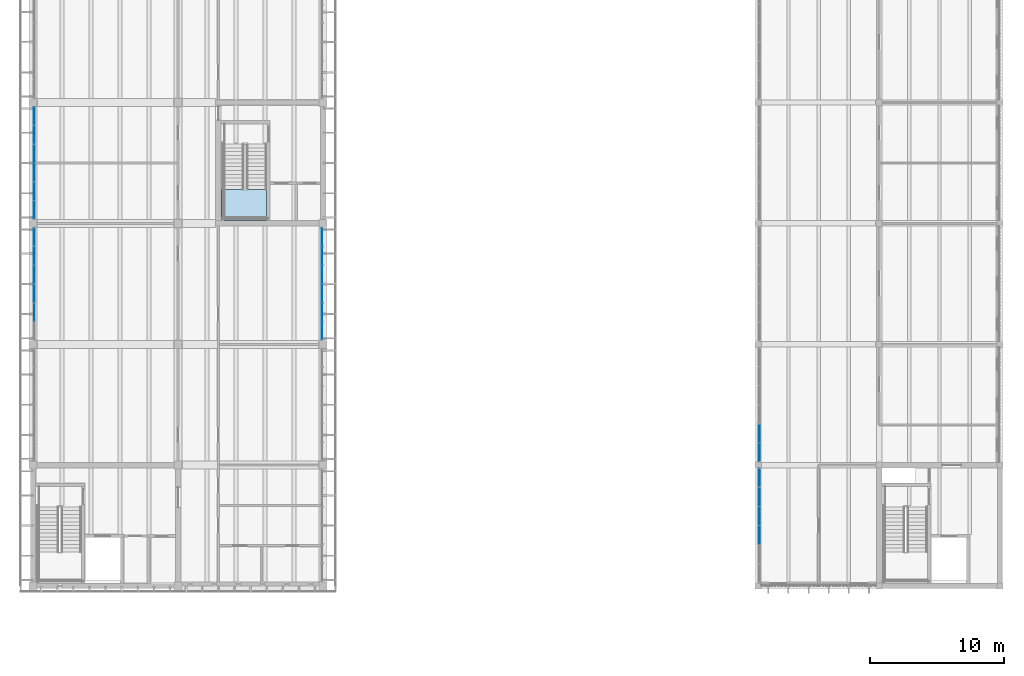
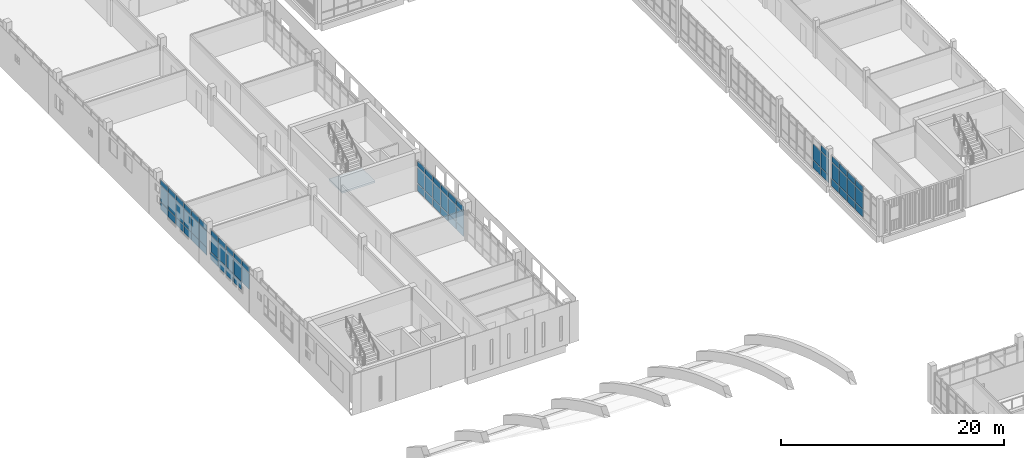
# One storey, part 41 of 88: 67 plates, 1 slab, 6 elements without a shape of their own.
"""IFC4 building model written with IfcOpenShell, lengths in metres."""

from ifc_helpers import new_model, si_unit, direction, frame, origin, origin_2d, place, context, subcontext, project, spatial, polyline, rectangle, outline, extrude, material, layer, layer_set, type_object, element, aggregate, save


model = new_model("IFC4")

# Units and contexts
model_context = context("Model", 3, precision=1e-05, world=origin(), true_north=direction((0.0, 1.0)))
body_context = subcontext(model_context, "Body", "Model", "MODEL_VIEW")
ifc_project = project(units=[si_unit("LENGTHUNIT", "METRE"), si_unit("AREAUNIT", "SQUARE_METRE"), si_unit("VOLUMEUNIT", "CUBIC_METRE"), si_unit("PLANEANGLEUNIT", "RADIAN"), si_unit("MASSUNIT", "GRAM", prefix="KILO")], contexts=[model_context])

# Site, building, storey
site_placement = place(None, origin())
site = spatial("IfcSite", under=ifc_project, at=site_placement, CompositionType="ELEMENT")
building_placement = place(site_placement, origin())
building = spatial("IfcBuilding", under=site, at=building_placement, Name="Merrow Basin Faculty of Sciences", CompositionType="ELEMENT")
storey_placement = place(building_placement, frame((0.0, 0.0, 9.0)))
storey = spatial("IfcBuildingStorey", under=building, at=storey_placement, Name="L02", CompositionType="ELEMENT", Elevation=9.0)

# Curtain wall, plates
ifc_material_1 = material(Name="Aluminium alloy 6063", Category="aluminium")
curtain_wall_type_1 = type_object("IfcCurtainWallType", Name="Bar unitised curtain wall 180", PredefinedType="NOTDEFINED", material=ifc_material_1)
curtain_wall_1_placement = place(storey_placement, origin())
curtain_wall_1 = element("IfcCurtainWall", 1, at=curtain_wall_1_placement, inside=storey, type_object=curtain_wall_type_1, Name="West curtain wall L02 2", PredefinedType="NOTDEFINED")
ifc_material_2 = material(Name="Insulated aluminium spandrel panel", Category="aluminium")
ifc_layer_1 = layer(ifc_material_2, 0.052001953125)
ifc_layer_set_1 = layer_set([ifc_layer_1], Name="Insulated spandrel panel 52")
plate_type_1 = type_object("IfcPlateType", Name="Insulated spandrel panel 52", PredefinedType="CURTAIN_PANEL", material=ifc_layer_set_1)
plate_1_placement = place(storey_placement, frame((0.090087890625, 82.800048828125, 0.06005859375), z_axis=(0.0, 0.0, 1.0), x_axis=(0.0, 1.0, 0.0)))
plate_1 = element("IfcPlate", 2, at=plate_1_placement, type_object=plate_type_1, Name="CW1 panel 3.1", PredefinedType="CURTAIN_PANEL", context=body_context, shape_type="SweptSolid", body=[
    extrude(rectangle(XDim=1.340087890625, YDim=0.052001953125, at=origin_2d()), origin(), (0.0, 0.0, 1.0), 0.81005859375),
])
plate_2_placement = place(storey_placement, frame((0.090087890625, 84.199951171875, 0.06005859375), z_axis=(0.0, 0.0, 1.0), x_axis=(0.0, 1.0, 0.0)))
plate_2 = element("IfcPlate", 3, at=plate_2_placement, type_object=plate_type_1, Name="CW1 panel 4.1", PredefinedType="CURTAIN_PANEL", context=body_context, shape_type="SweptSolid", body=[
    extrude(rectangle(XDim=1.340087890625, YDim=0.052001953125, at=origin_2d()), origin(), (0.0, 0.0, 1.0), 0.81005859375),
])
plate_3_placement = place(storey_placement, frame((0.090087890625, 85.60009765625, 0.06005859375), z_axis=(0.0, 0.0, 1.0), x_axis=(0.0, 1.0, 0.0)))
plate_3 = element("IfcPlate", 4, at=plate_3_placement, type_object=plate_type_1, Name="CW1 panel 5.1", PredefinedType="CURTAIN_PANEL", context=body_context, shape_type="SweptSolid", body=[
    extrude(rectangle(XDim=1.340087890625, YDim=0.052001953125, at=origin_2d()), origin(), (0.0, 0.0, 1.0), 0.81005859375),
])
plate_4_placement = place(storey_placement, frame((0.090087890625, 86.985107421875, 0.06005859375), z_axis=(0.0, 0.0, 1.0), x_axis=(0.0, 1.0, 0.0)))
plate_4 = element("IfcPlate", 5, at=plate_4_placement, type_object=plate_type_1, Name="CW1 panel 6.1", PredefinedType="CURTAIN_PANEL", context=body_context, shape_type="SweptSolid", body=[
    extrude(rectangle(XDim=1.31005859375, YDim=0.052001953125, at=origin_2d()), origin(), (0.0, 0.0, 1.0), 0.81005859375),
])

curtain_wall_2_placement = place(storey_placement, origin())
curtain_wall_2 = element("IfcCurtainWall", 6, at=curtain_wall_2_placement, inside=storey, type_object=curtain_wall_type_1, Name="West curtain wall L02 3", PredefinedType="NOTDEFINED")
plate_5_placement = place(storey_placement, frame((0.090087890625, 89.014892578125, 0.06005859375), z_axis=(0.0, 0.0, 1.0), x_axis=(0.0, 1.0, 0.0)))
plate_5 = element("IfcPlate", 7, at=plate_5_placement, type_object=plate_type_1, Name="CW1 panel 1.1", PredefinedType="CURTAIN_PANEL", context=body_context, shape_type="SweptSolid", body=[
    extrude(rectangle(XDim=1.31005859375, YDim=0.052001953125, at=origin_2d()), origin(), (0.0, 0.0, 1.0), 0.81005859375),
])
plate_6_placement = place(storey_placement, frame((0.090087890625, 90.39990234375, 0.06005859375), z_axis=(0.0, 0.0, 1.0), x_axis=(0.0, 1.0, 0.0)))
plate_6 = element("IfcPlate", 8, at=plate_6_placement, type_object=plate_type_1, Name="CW1 panel 2.1", PredefinedType="CURTAIN_PANEL", context=body_context, shape_type="SweptSolid", body=[
    extrude(rectangle(XDim=1.340087890625, YDim=0.052001953125, at=origin_2d()), origin(), (0.0, 0.0, 1.0), 0.81005859375),
])
plate_7_placement = place(storey_placement, frame((0.090087890625, 91.800048828125, 0.06005859375), z_axis=(0.0, 0.0, 1.0), x_axis=(0.0, 1.0, 0.0)))
plate_7 = element("IfcPlate", 9, at=plate_7_placement, type_object=plate_type_1, Name="CW1 panel 3.1", PredefinedType="CURTAIN_PANEL", context=body_context, shape_type="SweptSolid", body=[
    extrude(rectangle(XDim=1.340087890625, YDim=0.052001953125, at=origin_2d()), origin(), (0.0, 0.0, 1.0), 0.81005859375),
])
plate_8_placement = place(storey_placement, frame((0.090087890625, 93.199951171875, 0.06005859375), z_axis=(0.0, 0.0, 1.0), x_axis=(0.0, 1.0, 0.0)))
plate_8 = element("IfcPlate", 10, at=plate_8_placement, type_object=plate_type_1, Name="CW1 panel 4.1", PredefinedType="CURTAIN_PANEL", context=body_context, shape_type="SweptSolid", body=[
    extrude(rectangle(XDim=1.340087890625, YDim=0.052001953125, at=origin_2d()), origin(), (0.0, 0.0, 1.0), 0.81005859375),
])
plate_9_placement = place(storey_placement, frame((0.090087890625, 94.60009765625, 0.06005859375), z_axis=(0.0, 0.0, 1.0), x_axis=(0.0, 1.0, 0.0)))
plate_9 = element("IfcPlate", 11, at=plate_9_placement, type_object=plate_type_1, Name="CW1 panel 5.1", PredefinedType="CURTAIN_PANEL", context=body_context, shape_type="SweptSolid", body=[
    extrude(rectangle(XDim=1.340087890625, YDim=0.052001953125, at=origin_2d()), origin(), (0.0, 0.0, 1.0), 0.81005859375),
])
plate_10_placement = place(storey_placement, frame((0.090087890625, 95.985107421875, 0.06005859375), z_axis=(0.0, 0.0, 1.0), x_axis=(0.0, 1.0, 0.0)))
plate_10 = element("IfcPlate", 12, at=plate_10_placement, type_object=plate_type_1, Name="CW1 panel 6.1", PredefinedType="CURTAIN_PANEL", context=body_context, shape_type="SweptSolid", body=[
    extrude(rectangle(XDim=1.31005859375, YDim=0.052001953125, at=origin_2d()), origin(), (0.0, 0.0, 1.0), 0.81005859375),
])

curtain_wall_3_placement = place(storey_placement, origin())
curtain_wall_3 = element("IfcCurtainWall", 13, at=curtain_wall_3_placement, inside=storey, type_object=curtain_wall_type_1, Name="East curtain wall L02 3", PredefinedType="NOTDEFINED")
plate_11_placement = place(storey_placement, frame((21.510009765625, 80.014892578125, 0.06005859375), z_axis=(0.0, 0.0, 1.0), x_axis=(0.0, 1.0, 0.0)))
plate_11 = element("IfcPlate", 14, at=plate_11_placement, type_object=plate_type_1, Name="CW1 panel 1.1", PredefinedType="CURTAIN_PANEL", context=body_context, shape_type="SweptSolid", body=[
    extrude(rectangle(XDim=1.31005859375, YDim=0.052001953125, at=origin_2d()), origin(), (0.0, 0.0, 1.0), 0.81005859375),
])
plate_12_placement = place(storey_placement, frame((21.510009765625, 81.39990234375, 0.06005859375), z_axis=(0.0, 0.0, 1.0), x_axis=(0.0, 1.0, 0.0)))
plate_12 = element("IfcPlate", 15, at=plate_12_placement, type_object=plate_type_1, Name="CW1 panel 2.1", PredefinedType="CURTAIN_PANEL", context=body_context, shape_type="SweptSolid", body=[
    extrude(rectangle(XDim=1.340087890625, YDim=0.052001953125, at=origin_2d()), origin(), (0.0, 0.0, 1.0), 0.81005859375),
])
plate_13_placement = place(storey_placement, frame((21.510009765625, 82.800048828125, 0.06005859375), z_axis=(0.0, 0.0, 1.0), x_axis=(0.0, 1.0, 0.0)))
plate_13 = element("IfcPlate", 16, at=plate_13_placement, type_object=plate_type_1, Name="CW1 panel 3.1", PredefinedType="CURTAIN_PANEL", context=body_context, shape_type="SweptSolid", body=[
    extrude(rectangle(XDim=1.340087890625, YDim=0.052001953125, at=origin_2d()), origin(), (0.0, 0.0, 1.0), 0.81005859375),
])
plate_14_placement = place(storey_placement, frame((21.510009765625, 84.199951171875, 0.06005859375), z_axis=(0.0, 0.0, 1.0), x_axis=(0.0, 1.0, 0.0)))
plate_14 = element("IfcPlate", 17, at=plate_14_placement, type_object=plate_type_1, Name="CW1 panel 4.1", PredefinedType="CURTAIN_PANEL", context=body_context, shape_type="SweptSolid", body=[
    extrude(rectangle(XDim=1.340087890625, YDim=0.052001953125, at=origin_2d()), origin(), (0.0, 0.0, 1.0), 0.81005859375),
])
plate_15_placement = place(storey_placement, frame((21.510009765625, 85.60009765625, 0.06005859375), z_axis=(0.0, 0.0, 1.0), x_axis=(0.0, 1.0, 0.0)))
plate_15 = element("IfcPlate", 18, at=plate_15_placement, type_object=plate_type_1, Name="CW1 panel 5.1", PredefinedType="CURTAIN_PANEL", context=body_context, shape_type="SweptSolid", body=[
    extrude(rectangle(XDim=1.340087890625, YDim=0.052001953125, at=origin_2d()), origin(), (0.0, 0.0, 1.0), 0.81005859375),
])
plate_16_placement = place(storey_placement, frame((21.510009765625, 86.985107421875, 0.06005859375), z_axis=(0.0, 0.0, 1.0), x_axis=(0.0, 1.0, 0.0)))
plate_16 = element("IfcPlate", 19, at=plate_16_placement, type_object=plate_type_1, Name="CW1 panel 6.1", PredefinedType="CURTAIN_PANEL", context=body_context, shape_type="SweptSolid", body=[
    extrude(rectangle(XDim=1.31005859375, YDim=0.052001953125, at=origin_2d()), origin(), (0.0, 0.0, 1.0), 0.81005859375),
])

ifc_material_3 = material(Name="Aluminium alloy 6063", Category="aluminium")
curtain_wall_type_2 = type_object("IfcCurtainWallType", Name="Court curtain wall 140", PredefinedType="NOTDEFINED", material=ifc_material_3)
curtain_wall_4_placement = place(storey_placement, origin())
curtain_wall_4 = element("IfcCurtainWall", 20, at=curtain_wall_4_placement, inside=storey, type_object=curtain_wall_type_2, Name="Court curtain wall L02 1", PredefinedType="NOTDEFINED")
plate_17_placement = place(storey_placement, frame((54.070068359375, 64.78759765625, 0.06005859375), z_axis=(0.0, 0.0, 1.0), x_axis=(0.0, 1.0, 0.0)))
plate_17 = element("IfcPlate", 21, at=plate_17_placement, type_object=plate_type_1, Name="CW8 panel 3.1", PredefinedType="CURTAIN_PANEL", context=body_context, shape_type="SweptSolid", body=[
    extrude(rectangle(XDim=1.364990234375, YDim=0.052001953125, at=origin_2d()), origin(), (0.0, 0.0, 1.0), 0.81005859375),
])
plate_18_placement = place(storey_placement, frame((54.070068359375, 66.21240234375, 0.06005859375), z_axis=(0.0, 0.0, 1.0), x_axis=(0.0, 1.0, 0.0)))
plate_18 = element("IfcPlate", 22, at=plate_18_placement, type_object=plate_type_1, Name="CW8 panel 4.1", PredefinedType="CURTAIN_PANEL", context=body_context, shape_type="SweptSolid", body=[
    extrude(rectangle(XDim=1.364990234375, YDim=0.052001953125, at=origin_2d()), origin(), (0.0, 0.0, 1.0), 0.81005859375),
])
plate_19_placement = place(storey_placement, frame((54.070068359375, 67.637451171875, 0.06005859375), z_axis=(0.0, 0.0, 1.0), x_axis=(0.0, 1.0, 0.0)))
plate_19 = element("IfcPlate", 23, at=plate_19_placement, type_object=plate_type_1, Name="CW8 panel 5.1", PredefinedType="CURTAIN_PANEL", context=body_context, shape_type="SweptSolid", body=[
    extrude(rectangle(XDim=1.364990234375, YDim=0.052001953125, at=origin_2d()), origin(), (0.0, 0.0, 1.0), 0.81005859375),
])
plate_20_placement = place(storey_placement, frame((54.070068359375, 69.047607421875, 0.06005859375), z_axis=(0.0, 0.0, 1.0), x_axis=(0.0, 1.0, 0.0)))
plate_20 = element("IfcPlate", 24, at=plate_20_placement, type_object=plate_type_1, Name="CW8 panel 6.1", PredefinedType="CURTAIN_PANEL", context=body_context, shape_type="SweptSolid", body=[
    extrude(rectangle(XDim=1.3349609375, YDim=0.052001953125, at=origin_2d()), origin(), (0.0, 0.0, 1.0), 0.81005859375),
])

curtain_wall_5_placement = place(storey_placement, origin())
curtain_wall_5 = element("IfcCurtainWall", 25, at=curtain_wall_5_placement, inside=storey, type_object=curtain_wall_type_2, Name="Court curtain wall L02 2", PredefinedType="NOTDEFINED")
plate_21_placement = place(storey_placement, frame((54.070068359375, 70.952392578125, 0.06005859375), z_axis=(0.0, 0.0, 1.0), x_axis=(0.0, 1.0, 0.0)))
plate_21 = element("IfcPlate", 26, at=plate_21_placement, type_object=plate_type_1, Name="CW8 panel 1.1", PredefinedType="CURTAIN_PANEL", context=body_context, shape_type="SweptSolid", body=[
    extrude(rectangle(XDim=1.3349609375, YDim=0.052001953125, at=origin_2d()), origin(), (0.0, 0.0, 1.0), 0.81005859375),
])
plate_22_placement = place(storey_placement, frame((54.070068359375, 72.362548828125, 0.06005859375), z_axis=(0.0, 0.0, 1.0), x_axis=(0.0, 1.0, 0.0)))
plate_22 = element("IfcPlate", 27, at=plate_22_placement, type_object=plate_type_1, Name="CW8 panel 2.1", PredefinedType="CURTAIN_PANEL", context=body_context, shape_type="SweptSolid", body=[
    extrude(rectangle(XDim=1.364990234375, YDim=0.052001953125, at=origin_2d()), origin(), (0.0, 0.0, 1.0), 0.81005859375),
])

# Plate
ifc_material_4 = material(Name="Low-E double glazing", Category="glass")
ifc_layer_2 = layer(ifc_material_4, 0.028076171875)
ifc_layer_set_2 = layer_set([ifc_layer_2], Name="Low-E double glazed panel 28")
plate_type_2 = type_object("IfcPlateType", Name="Low-E double glazed panel 28", PredefinedType="CURTAIN_PANEL", material=ifc_layer_set_2)
plate_23_placement = place(storey_placement, frame((0.090087890625, 81.39990234375, 0.93017578125), z_axis=(0.0, 0.0, 1.0), x_axis=(0.0, 1.0, 0.0)))
plate_23 = element("IfcPlate", 28, at=plate_23_placement, type_object=plate_type_2, Name="CW1 panel 2.2", PredefinedType="CURTAIN_PANEL", context=body_context, shape_type="SweptSolid", body=[
    extrude(rectangle(XDim=1.340087890625, YDim=0.028076171875, at=origin_2d()), origin(), (0.0, 0.0, 1.0), 1.739990234375),
])

plate_24_placement = place(storey_placement, frame((0.090087890625, 81.39990234375, 2.72998046875), z_axis=(0.0, 0.0, 1.0), x_axis=(0.0, 1.0, 0.0)))
plate_24 = element("IfcPlate", 29, at=plate_24_placement, type_object=plate_type_2, Name="CW1 panel 2.3", PredefinedType="CURTAIN_PANEL", context=body_context, shape_type="SweptSolid", body=[
    extrude(rectangle(XDim=1.340087890625, YDim=0.028076171875, at=origin_2d()), origin(), (0.0, 0.0, 1.0), 0.610107421875),
])

plate_25_placement = place(storey_placement, frame((0.090087890625, 82.800048828125, 0.93017578125), z_axis=(0.0, 0.0, 1.0), x_axis=(0.0, 1.0, 0.0)))
plate_25 = element("IfcPlate", 30, at=plate_25_placement, type_object=plate_type_2, Name="CW1 panel 3.2", PredefinedType="CURTAIN_PANEL", context=body_context, shape_type="SweptSolid", body=[
    extrude(rectangle(XDim=1.340087890625, YDim=0.028076171875, at=origin_2d()), origin(), (0.0, 0.0, 1.0), 1.739990234375),
])

plate_26_placement = place(storey_placement, frame((0.090087890625, 82.800048828125, 2.72998046875), z_axis=(0.0, 0.0, 1.0), x_axis=(0.0, 1.0, 0.0)))
plate_26 = element("IfcPlate", 31, at=plate_26_placement, type_object=plate_type_2, Name="CW1 panel 3.3", PredefinedType="CURTAIN_PANEL", context=body_context, shape_type="SweptSolid", body=[
    extrude(rectangle(XDim=1.340087890625, YDim=0.028076171875, at=origin_2d()), origin(), (0.0, 0.0, 1.0), 0.610107421875),
])

plate_27_placement = place(storey_placement, frame((0.090087890625, 84.199951171875, 0.93017578125), z_axis=(0.0, 0.0, 1.0), x_axis=(0.0, 1.0, 0.0)))
plate_27 = element("IfcPlate", 32, at=plate_27_placement, type_object=plate_type_2, Name="CW1 panel 4.2", PredefinedType="CURTAIN_PANEL", context=body_context, shape_type="SweptSolid", body=[
    extrude(rectangle(XDim=1.340087890625, YDim=0.028076171875, at=origin_2d()), origin(), (0.0, 0.0, 1.0), 1.739990234375),
])

plate_28_placement = place(storey_placement, frame((0.090087890625, 84.199951171875, 2.72998046875), z_axis=(0.0, 0.0, 1.0), x_axis=(0.0, 1.0, 0.0)))
plate_28 = element("IfcPlate", 33, at=plate_28_placement, type_object=plate_type_2, Name="CW1 panel 4.3", PredefinedType="CURTAIN_PANEL", context=body_context, shape_type="SweptSolid", body=[
    extrude(rectangle(XDim=1.340087890625, YDim=0.028076171875, at=origin_2d()), origin(), (0.0, 0.0, 1.0), 0.610107421875),
])

plate_29_placement = place(storey_placement, frame((0.090087890625, 85.60009765625, 0.93017578125), z_axis=(0.0, 0.0, 1.0), x_axis=(0.0, 1.0, 0.0)))
plate_29 = element("IfcPlate", 34, at=plate_29_placement, type_object=plate_type_2, Name="CW1 panel 5.2", PredefinedType="CURTAIN_PANEL", context=body_context, shape_type="SweptSolid", body=[
    extrude(rectangle(XDim=1.340087890625, YDim=0.028076171875, at=origin_2d()), origin(), (0.0, 0.0, 1.0), 1.739990234375),
])

plate_30_placement = place(storey_placement, frame((0.090087890625, 85.60009765625, 2.72998046875), z_axis=(0.0, 0.0, 1.0), x_axis=(0.0, 1.0, 0.0)))
plate_30 = element("IfcPlate", 35, at=plate_30_placement, type_object=plate_type_2, Name="CW1 panel 5.3", PredefinedType="CURTAIN_PANEL", context=body_context, shape_type="SweptSolid", body=[
    extrude(rectangle(XDim=1.340087890625, YDim=0.028076171875, at=origin_2d()), origin(), (0.0, 0.0, 1.0), 0.610107421875),
])

plate_31_placement = place(storey_placement, frame((0.090087890625, 86.985107421875, 0.93017578125), z_axis=(0.0, 0.0, 1.0), x_axis=(0.0, 1.0, 0.0)))
plate_31 = element("IfcPlate", 36, at=plate_31_placement, type_object=plate_type_2, Name="CW1 panel 6.2", PredefinedType="CURTAIN_PANEL", context=body_context, shape_type="SweptSolid", body=[
    extrude(rectangle(XDim=1.31005859375, YDim=0.028076171875, at=origin_2d()), origin(), (0.0, 0.0, 1.0), 1.739990234375),
])

plate_32_placement = place(storey_placement, frame((0.090087890625, 86.985107421875, 2.72998046875), z_axis=(0.0, 0.0, 1.0), x_axis=(0.0, 1.0, 0.0)))
plate_32 = element("IfcPlate", 37, at=plate_32_placement, type_object=plate_type_2, Name="CW1 panel 6.3", PredefinedType="CURTAIN_PANEL", context=body_context, shape_type="SweptSolid", body=[
    extrude(rectangle(XDim=1.31005859375, YDim=0.028076171875, at=origin_2d()), origin(), (0.0, 0.0, 1.0), 0.610107421875),
])

aggregate(curtain_wall_1, [plate_23, plate_24, plate_1, plate_25, plate_26, plate_2, plate_27, plate_28, plate_3, plate_29, plate_30, plate_4, plate_31, plate_32])

plate_33_placement = place(storey_placement, frame((0.090087890625, 89.014892578125, 0.93017578125), z_axis=(0.0, 0.0, 1.0), x_axis=(0.0, 1.0, 0.0)))
plate_33 = element("IfcPlate", 38, at=plate_33_placement, type_object=plate_type_2, Name="CW1 panel 1.2", PredefinedType="CURTAIN_PANEL", context=body_context, shape_type="SweptSolid", body=[
    extrude(rectangle(XDim=1.31005859375, YDim=0.028076171875, at=origin_2d()), origin(), (0.0, 0.0, 1.0), 1.739990234375),
])

plate_34_placement = place(storey_placement, frame((0.090087890625, 89.014892578125, 2.72998046875), z_axis=(0.0, 0.0, 1.0), x_axis=(0.0, 1.0, 0.0)))
plate_34 = element("IfcPlate", 39, at=plate_34_placement, type_object=plate_type_2, Name="CW1 panel 1.3", PredefinedType="CURTAIN_PANEL", context=body_context, shape_type="SweptSolid", body=[
    extrude(rectangle(XDim=1.31005859375, YDim=0.028076171875, at=origin_2d()), origin(), (0.0, 0.0, 1.0), 0.610107421875),
])

plate_35_placement = place(storey_placement, frame((0.090087890625, 90.39990234375, 0.93017578125), z_axis=(0.0, 0.0, 1.0), x_axis=(0.0, 1.0, 0.0)))
plate_35 = element("IfcPlate", 40, at=plate_35_placement, type_object=plate_type_2, Name="CW1 panel 2.2", PredefinedType="CURTAIN_PANEL", context=body_context, shape_type="SweptSolid", body=[
    extrude(rectangle(XDim=1.340087890625, YDim=0.028076171875, at=origin_2d()), origin(), (0.0, 0.0, 1.0), 1.739990234375),
])

plate_36_placement = place(storey_placement, frame((0.090087890625, 90.39990234375, 2.72998046875), z_axis=(0.0, 0.0, 1.0), x_axis=(0.0, 1.0, 0.0)))
plate_36 = element("IfcPlate", 41, at=plate_36_placement, type_object=plate_type_2, Name="CW1 panel 2.3", PredefinedType="CURTAIN_PANEL", context=body_context, shape_type="SweptSolid", body=[
    extrude(rectangle(XDim=1.340087890625, YDim=0.028076171875, at=origin_2d()), origin(), (0.0, 0.0, 1.0), 0.610107421875),
])

plate_37_placement = place(storey_placement, frame((0.090087890625, 91.800048828125, 0.93017578125), z_axis=(0.0, 0.0, 1.0), x_axis=(0.0, 1.0, 0.0)))
plate_37 = element("IfcPlate", 42, at=plate_37_placement, type_object=plate_type_2, Name="CW1 panel 3.2", PredefinedType="CURTAIN_PANEL", context=body_context, shape_type="SweptSolid", body=[
    extrude(rectangle(XDim=1.340087890625, YDim=0.028076171875, at=origin_2d()), origin(), (0.0, 0.0, 1.0), 1.739990234375),
])

plate_38_placement = place(storey_placement, frame((0.090087890625, 91.800048828125, 2.72998046875), z_axis=(0.0, 0.0, 1.0), x_axis=(0.0, 1.0, 0.0)))
plate_38 = element("IfcPlate", 43, at=plate_38_placement, type_object=plate_type_2, Name="CW1 panel 3.3", PredefinedType="CURTAIN_PANEL", context=body_context, shape_type="SweptSolid", body=[
    extrude(rectangle(XDim=1.340087890625, YDim=0.028076171875, at=origin_2d()), origin(), (0.0, 0.0, 1.0), 0.610107421875),
])

plate_39_placement = place(storey_placement, frame((0.090087890625, 93.199951171875, 0.93017578125), z_axis=(0.0, 0.0, 1.0), x_axis=(0.0, 1.0, 0.0)))
plate_39 = element("IfcPlate", 44, at=plate_39_placement, type_object=plate_type_2, Name="CW1 panel 4.2", PredefinedType="CURTAIN_PANEL", context=body_context, shape_type="SweptSolid", body=[
    extrude(rectangle(XDim=1.340087890625, YDim=0.028076171875, at=origin_2d()), origin(), (0.0, 0.0, 1.0), 1.739990234375),
])

plate_40_placement = place(storey_placement, frame((0.090087890625, 93.199951171875, 2.72998046875), z_axis=(0.0, 0.0, 1.0), x_axis=(0.0, 1.0, 0.0)))
plate_40 = element("IfcPlate", 45, at=plate_40_placement, type_object=plate_type_2, Name="CW1 panel 4.3", PredefinedType="CURTAIN_PANEL", context=body_context, shape_type="SweptSolid", body=[
    extrude(rectangle(XDim=1.340087890625, YDim=0.028076171875, at=origin_2d()), origin(), (0.0, 0.0, 1.0), 0.610107421875),
])

plate_41_placement = place(storey_placement, frame((0.090087890625, 94.60009765625, 0.93017578125), z_axis=(0.0, 0.0, 1.0), x_axis=(0.0, 1.0, 0.0)))
plate_41 = element("IfcPlate", 46, at=plate_41_placement, type_object=plate_type_2, Name="CW1 panel 5.2", PredefinedType="CURTAIN_PANEL", context=body_context, shape_type="SweptSolid", body=[
    extrude(rectangle(XDim=1.340087890625, YDim=0.028076171875, at=origin_2d()), origin(), (0.0, 0.0, 1.0), 1.739990234375),
])

plate_42_placement = place(storey_placement, frame((0.090087890625, 94.60009765625, 2.72998046875), z_axis=(0.0, 0.0, 1.0), x_axis=(0.0, 1.0, 0.0)))
plate_42 = element("IfcPlate", 47, at=plate_42_placement, type_object=plate_type_2, Name="CW1 panel 5.3", PredefinedType="CURTAIN_PANEL", context=body_context, shape_type="SweptSolid", body=[
    extrude(rectangle(XDim=1.340087890625, YDim=0.028076171875, at=origin_2d()), origin(), (0.0, 0.0, 1.0), 0.610107421875),
])

plate_43_placement = place(storey_placement, frame((0.090087890625, 95.985107421875, 0.93017578125), z_axis=(0.0, 0.0, 1.0), x_axis=(0.0, 1.0, 0.0)))
plate_43 = element("IfcPlate", 48, at=plate_43_placement, type_object=plate_type_2, Name="CW1 panel 6.2", PredefinedType="CURTAIN_PANEL", context=body_context, shape_type="SweptSolid", body=[
    extrude(rectangle(XDim=1.31005859375, YDim=0.028076171875, at=origin_2d()), origin(), (0.0, 0.0, 1.0), 1.739990234375),
])

plate_44_placement = place(storey_placement, frame((0.090087890625, 95.985107421875, 2.72998046875), z_axis=(0.0, 0.0, 1.0), x_axis=(0.0, 1.0, 0.0)))
plate_44 = element("IfcPlate", 49, at=plate_44_placement, type_object=plate_type_2, Name="CW1 panel 6.3", PredefinedType="CURTAIN_PANEL", context=body_context, shape_type="SweptSolid", body=[
    extrude(rectangle(XDim=1.31005859375, YDim=0.028076171875, at=origin_2d()), origin(), (0.0, 0.0, 1.0), 0.610107421875),
])

aggregate(curtain_wall_2, [plate_5, plate_33, plate_34, plate_6, plate_35, plate_36, plate_7, plate_37, plate_38, plate_8, plate_39, plate_40, plate_9, plate_41, plate_42, plate_10, plate_43, plate_44])

plate_45_placement = place(storey_placement, frame((21.510009765625, 80.014892578125, 0.93017578125), z_axis=(0.0, 0.0, 1.0), x_axis=(0.0, 1.0, 0.0)))
plate_45 = element("IfcPlate", 50, at=plate_45_placement, type_object=plate_type_2, Name="CW1 panel 1.2", PredefinedType="CURTAIN_PANEL", context=body_context, shape_type="SweptSolid", body=[
    extrude(rectangle(XDim=1.31005859375, YDim=0.028076171875, at=origin_2d()), origin(), (0.0, 0.0, 1.0), 1.739990234375),
])

plate_46_placement = place(storey_placement, frame((21.510009765625, 80.014892578125, 2.72998046875), z_axis=(0.0, 0.0, 1.0), x_axis=(0.0, 1.0, 0.0)))
plate_46 = element("IfcPlate", 51, at=plate_46_placement, type_object=plate_type_2, Name="CW1 panel 1.3", PredefinedType="CURTAIN_PANEL", context=body_context, shape_type="SweptSolid", body=[
    extrude(rectangle(XDim=1.31005859375, YDim=0.028076171875, at=origin_2d()), origin(), (0.0, 0.0, 1.0), 0.610107421875),
])

plate_47_placement = place(storey_placement, frame((21.510009765625, 81.39990234375, 0.93017578125), z_axis=(0.0, 0.0, 1.0), x_axis=(0.0, 1.0, 0.0)))
plate_47 = element("IfcPlate", 52, at=plate_47_placement, type_object=plate_type_2, Name="CW1 panel 2.2", PredefinedType="CURTAIN_PANEL", context=body_context, shape_type="SweptSolid", body=[
    extrude(rectangle(XDim=1.340087890625, YDim=0.028076171875, at=origin_2d()), origin(), (0.0, 0.0, 1.0), 1.739990234375),
])

plate_48_placement = place(storey_placement, frame((21.510009765625, 81.39990234375, 2.72998046875), z_axis=(0.0, 0.0, 1.0), x_axis=(0.0, 1.0, 0.0)))
plate_48 = element("IfcPlate", 53, at=plate_48_placement, type_object=plate_type_2, Name="CW1 panel 2.3", PredefinedType="CURTAIN_PANEL", context=body_context, shape_type="SweptSolid", body=[
    extrude(rectangle(XDim=1.340087890625, YDim=0.028076171875, at=origin_2d()), origin(), (0.0, 0.0, 1.0), 0.610107421875),
])

plate_49_placement = place(storey_placement, frame((21.510009765625, 82.800048828125, 0.93017578125), z_axis=(0.0, 0.0, 1.0), x_axis=(0.0, 1.0, 0.0)))
plate_49 = element("IfcPlate", 54, at=plate_49_placement, type_object=plate_type_2, Name="CW1 panel 3.2", PredefinedType="CURTAIN_PANEL", context=body_context, shape_type="SweptSolid", body=[
    extrude(rectangle(XDim=1.340087890625, YDim=0.028076171875, at=origin_2d()), origin(), (0.0, 0.0, 1.0), 1.739990234375),
])

plate_50_placement = place(storey_placement, frame((21.510009765625, 82.800048828125, 2.72998046875), z_axis=(0.0, 0.0, 1.0), x_axis=(0.0, 1.0, 0.0)))
plate_50 = element("IfcPlate", 55, at=plate_50_placement, type_object=plate_type_2, Name="CW1 panel 3.3", PredefinedType="CURTAIN_PANEL", context=body_context, shape_type="SweptSolid", body=[
    extrude(rectangle(XDim=1.340087890625, YDim=0.028076171875, at=origin_2d()), origin(), (0.0, 0.0, 1.0), 0.610107421875),
])

plate_51_placement = place(storey_placement, frame((21.510009765625, 84.199951171875, 0.93017578125), z_axis=(0.0, 0.0, 1.0), x_axis=(0.0, 1.0, 0.0)))
plate_51 = element("IfcPlate", 56, at=plate_51_placement, type_object=plate_type_2, Name="CW1 panel 4.2", PredefinedType="CURTAIN_PANEL", context=body_context, shape_type="SweptSolid", body=[
    extrude(rectangle(XDim=1.340087890625, YDim=0.028076171875, at=origin_2d()), origin(), (0.0, 0.0, 1.0), 1.739990234375),
])

plate_52_placement = place(storey_placement, frame((21.510009765625, 84.199951171875, 2.72998046875), z_axis=(0.0, 0.0, 1.0), x_axis=(0.0, 1.0, 0.0)))
plate_52 = element("IfcPlate", 57, at=plate_52_placement, type_object=plate_type_2, Name="CW1 panel 4.3", PredefinedType="CURTAIN_PANEL", context=body_context, shape_type="SweptSolid", body=[
    extrude(rectangle(XDim=1.340087890625, YDim=0.028076171875, at=origin_2d()), origin(), (0.0, 0.0, 1.0), 0.610107421875),
])

plate_53_placement = place(storey_placement, frame((21.510009765625, 85.60009765625, 0.93017578125), z_axis=(0.0, 0.0, 1.0), x_axis=(0.0, 1.0, 0.0)))
plate_53 = element("IfcPlate", 58, at=plate_53_placement, type_object=plate_type_2, Name="CW1 panel 5.2", PredefinedType="CURTAIN_PANEL", context=body_context, shape_type="SweptSolid", body=[
    extrude(rectangle(XDim=1.340087890625, YDim=0.028076171875, at=origin_2d()), origin(), (0.0, 0.0, 1.0), 1.739990234375),
])

plate_54_placement = place(storey_placement, frame((21.510009765625, 85.60009765625, 2.72998046875), z_axis=(0.0, 0.0, 1.0), x_axis=(0.0, 1.0, 0.0)))
plate_54 = element("IfcPlate", 59, at=plate_54_placement, type_object=plate_type_2, Name="CW1 panel 5.3", PredefinedType="CURTAIN_PANEL", context=body_context, shape_type="SweptSolid", body=[
    extrude(rectangle(XDim=1.340087890625, YDim=0.028076171875, at=origin_2d()), origin(), (0.0, 0.0, 1.0), 0.610107421875),
])

plate_55_placement = place(storey_placement, frame((21.510009765625, 86.985107421875, 0.93017578125), z_axis=(0.0, 0.0, 1.0), x_axis=(0.0, 1.0, 0.0)))
plate_55 = element("IfcPlate", 60, at=plate_55_placement, type_object=plate_type_2, Name="CW1 panel 6.2", PredefinedType="CURTAIN_PANEL", context=body_context, shape_type="SweptSolid", body=[
    extrude(rectangle(XDim=1.31005859375, YDim=0.028076171875, at=origin_2d()), origin(), (0.0, 0.0, 1.0), 1.739990234375),
])

plate_56_placement = place(storey_placement, frame((21.510009765625, 86.985107421875, 2.72998046875), z_axis=(0.0, 0.0, 1.0), x_axis=(0.0, 1.0, 0.0)))
plate_56 = element("IfcPlate", 61, at=plate_56_placement, type_object=plate_type_2, Name="CW1 panel 6.3", PredefinedType="CURTAIN_PANEL", context=body_context, shape_type="SweptSolid", body=[
    extrude(rectangle(XDim=1.31005859375, YDim=0.028076171875, at=origin_2d()), origin(), (0.0, 0.0, 1.0), 0.610107421875),
])

aggregate(curtain_wall_3, [plate_11, plate_45, plate_46, plate_12, plate_47, plate_48, plate_13, plate_49, plate_50, plate_14, plate_51, plate_52, plate_15, plate_53, plate_54, plate_16, plate_55, plate_56])

plate_57_placement = place(storey_placement, frame((54.070068359375, 64.78759765625, 0.93017578125), z_axis=(0.0, 0.0, 1.0), x_axis=(0.0, 1.0, 0.0)))
plate_57 = element("IfcPlate", 62, at=plate_57_placement, type_object=plate_type_2, Name="CW8 panel 3.2", PredefinedType="CURTAIN_PANEL", context=body_context, shape_type="SweptSolid", body=[
    extrude(rectangle(XDim=1.364990234375, YDim=0.028076171875, at=origin_2d()), origin(), (0.0, 0.0, 1.0), 1.739990234375),
])

plate_58_placement = place(storey_placement, frame((54.070068359375, 64.78759765625, 2.72998046875), z_axis=(0.0, 0.0, 1.0), x_axis=(0.0, 1.0, 0.0)))
plate_58 = element("IfcPlate", 63, at=plate_58_placement, type_object=plate_type_2, Name="CW8 panel 3.3", PredefinedType="CURTAIN_PANEL", context=body_context, shape_type="SweptSolid", body=[
    extrude(rectangle(XDim=1.364990234375, YDim=0.028076171875, at=origin_2d()), origin(), (0.0, 0.0, 1.0), 0.659912109375),
])

plate_59_placement = place(storey_placement, frame((54.070068359375, 66.21240234375, 0.93017578125), z_axis=(0.0, 0.0, 1.0), x_axis=(0.0, 1.0, 0.0)))
plate_59 = element("IfcPlate", 64, at=plate_59_placement, type_object=plate_type_2, Name="CW8 panel 4.2", PredefinedType="CURTAIN_PANEL", context=body_context, shape_type="SweptSolid", body=[
    extrude(rectangle(XDim=1.364990234375, YDim=0.028076171875, at=origin_2d()), origin(), (0.0, 0.0, 1.0), 1.739990234375),
])

plate_60_placement = place(storey_placement, frame((54.070068359375, 66.21240234375, 2.72998046875), z_axis=(0.0, 0.0, 1.0), x_axis=(0.0, 1.0, 0.0)))
plate_60 = element("IfcPlate", 65, at=plate_60_placement, type_object=plate_type_2, Name="CW8 panel 4.3", PredefinedType="CURTAIN_PANEL", context=body_context, shape_type="SweptSolid", body=[
    extrude(rectangle(XDim=1.364990234375, YDim=0.028076171875, at=origin_2d()), origin(), (0.0, 0.0, 1.0), 0.659912109375),
])

plate_61_placement = place(storey_placement, frame((54.070068359375, 67.637451171875, 0.93017578125), z_axis=(0.0, 0.0, 1.0), x_axis=(0.0, 1.0, 0.0)))
plate_61 = element("IfcPlate", 66, at=plate_61_placement, type_object=plate_type_2, Name="CW8 panel 5.2", PredefinedType="CURTAIN_PANEL", context=body_context, shape_type="SweptSolid", body=[
    extrude(rectangle(XDim=1.364990234375, YDim=0.028076171875, at=origin_2d()), origin(), (0.0, 0.0, 1.0), 1.739990234375),
])

plate_62_placement = place(storey_placement, frame((54.070068359375, 67.637451171875, 2.72998046875), z_axis=(0.0, 0.0, 1.0), x_axis=(0.0, 1.0, 0.0)))
plate_62 = element("IfcPlate", 67, at=plate_62_placement, type_object=plate_type_2, Name="CW8 panel 5.3", PredefinedType="CURTAIN_PANEL", context=body_context, shape_type="SweptSolid", body=[
    extrude(rectangle(XDim=1.364990234375, YDim=0.028076171875, at=origin_2d()), origin(), (0.0, 0.0, 1.0), 0.659912109375),
])

plate_63_placement = place(storey_placement, frame((54.070068359375, 69.047607421875, 0.93017578125), z_axis=(0.0, 0.0, 1.0), x_axis=(0.0, 1.0, 0.0)))
plate_63 = element("IfcPlate", 68, at=plate_63_placement, type_object=plate_type_2, Name="CW8 panel 6.2", PredefinedType="CURTAIN_PANEL", context=body_context, shape_type="SweptSolid", body=[
    extrude(rectangle(XDim=1.3349609375, YDim=0.028076171875, at=origin_2d()), origin(), (0.0, 0.0, 1.0), 1.739990234375),
])

plate_64_placement = place(storey_placement, frame((54.070068359375, 69.047607421875, 2.72998046875), z_axis=(0.0, 0.0, 1.0), x_axis=(0.0, 1.0, 0.0)))
plate_64 = element("IfcPlate", 69, at=plate_64_placement, type_object=plate_type_2, Name="CW8 panel 6.3", PredefinedType="CURTAIN_PANEL", context=body_context, shape_type="SweptSolid", body=[
    extrude(rectangle(XDim=1.3349609375, YDim=0.028076171875, at=origin_2d()), origin(), (0.0, 0.0, 1.0), 0.659912109375),
])

aggregate(curtain_wall_4, [plate_17, plate_57, plate_58, plate_18, plate_59, plate_60, plate_19, plate_61, plate_62, plate_20, plate_63, plate_64])

plate_65_placement = place(storey_placement, frame((54.070068359375, 70.952392578125, 0.93017578125), z_axis=(0.0, 0.0, 1.0), x_axis=(0.0, 1.0, 0.0)))
plate_65 = element("IfcPlate", 70, at=plate_65_placement, type_object=plate_type_2, Name="CW8 panel 1.2", PredefinedType="CURTAIN_PANEL", context=body_context, shape_type="SweptSolid", body=[
    extrude(rectangle(XDim=1.3349609375, YDim=0.028076171875, at=origin_2d()), origin(), (0.0, 0.0, 1.0), 1.739990234375),
])

plate_66_placement = place(storey_placement, frame((54.070068359375, 70.952392578125, 2.72998046875), z_axis=(0.0, 0.0, 1.0), x_axis=(0.0, 1.0, 0.0)))
plate_66 = element("IfcPlate", 71, at=plate_66_placement, type_object=plate_type_2, Name="CW8 panel 1.3", PredefinedType="CURTAIN_PANEL", context=body_context, shape_type="SweptSolid", body=[
    extrude(rectangle(XDim=1.3349609375, YDim=0.028076171875, at=origin_2d()), origin(), (0.0, 0.0, 1.0), 0.659912109375),
])

plate_67_placement = place(storey_placement, frame((54.070068359375, 72.362548828125, 0.93017578125), z_axis=(0.0, 0.0, 1.0), x_axis=(0.0, 1.0, 0.0)))
plate_67 = element("IfcPlate", 72, at=plate_67_placement, type_object=plate_type_2, Name="CW8 panel 2.2", PredefinedType="CURTAIN_PANEL", context=body_context, shape_type="SweptSolid", body=[
    extrude(rectangle(XDim=1.364990234375, YDim=0.028076171875, at=origin_2d()), origin(), (0.0, 0.0, 1.0), 1.739990234375),
])

aggregate(curtain_wall_5, [plate_21, plate_65, plate_66, plate_22, plate_67])

# Stair, slab
ifc_material_5 = material(Name="Concrete C40/50", Category="concrete")
stair_type = type_object("IfcStairType", Name="Concrete dog-leg stair Concrete C40/50", PredefinedType="HALF_TURN_STAIR", material=ifc_material_5)
stair_placement = place(storey_placement, origin())
stair = element("IfcStair", 73, at=stair_placement, inside=storey, type_object=stair_type, Name="L02 Exit stair M", PredefinedType="HALF_TURN_STAIR")
ifc_material_6 = material(Name="Concrete C40/50", Category="concrete")
ifc_layer_3 = layer(ifc_material_6, 0.199951171875)
ifc_layer_set_3 = layer_set([ifc_layer_3], Name="Stair landing 200 Concrete C40/50")
slab_type = type_object("IfcSlabType", Name="Stair landing 200 Concrete C40/50", PredefinedType="LANDING", material=ifc_layer_set_3)
slab_placement = place(storey_placement, frame((0.0, 0.0, 2.050048828125)))
slab = element("IfcSlab", 74, at=slab_placement, type_object=slab_type, Name="ST-V4-M landing 1", PredefinedType="LANDING", context=body_context, shape_type="SweptSolid", body=[
    extrude(outline(polyline([(14.0, 88.199951171875), (17.39990234375, 88.199951171875), (17.39990234375, 90.5400390625), (14.0, 90.5400390625), (14.0, 88.199951171875)])), origin(), (0.0, 0.0, 1.0), 0.199951171875),
])
aggregate(stair, [slab])

save(model, "model.ifc")
